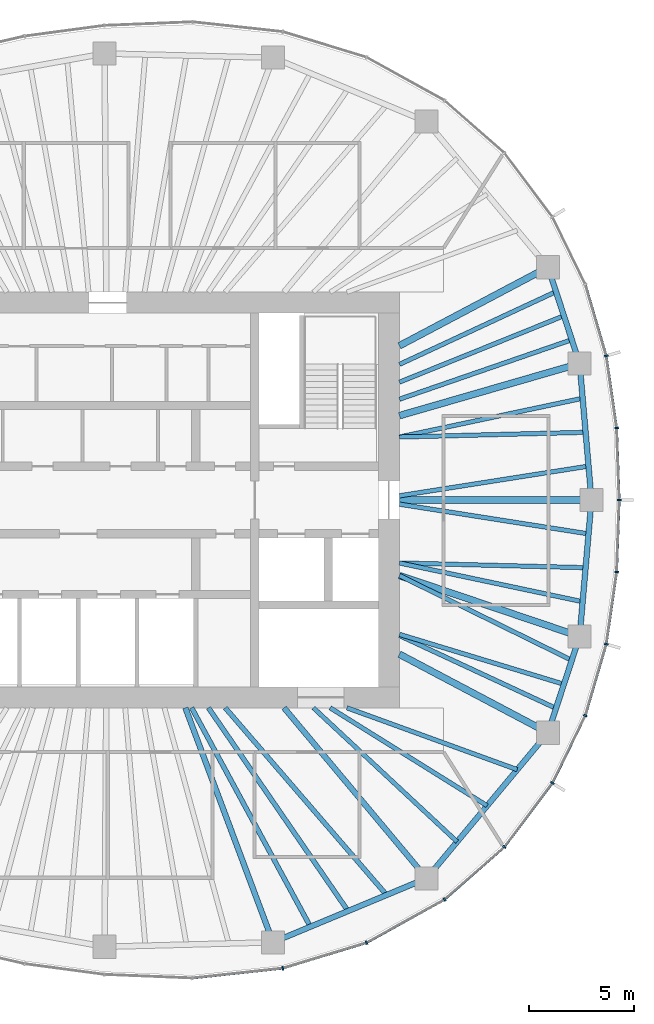
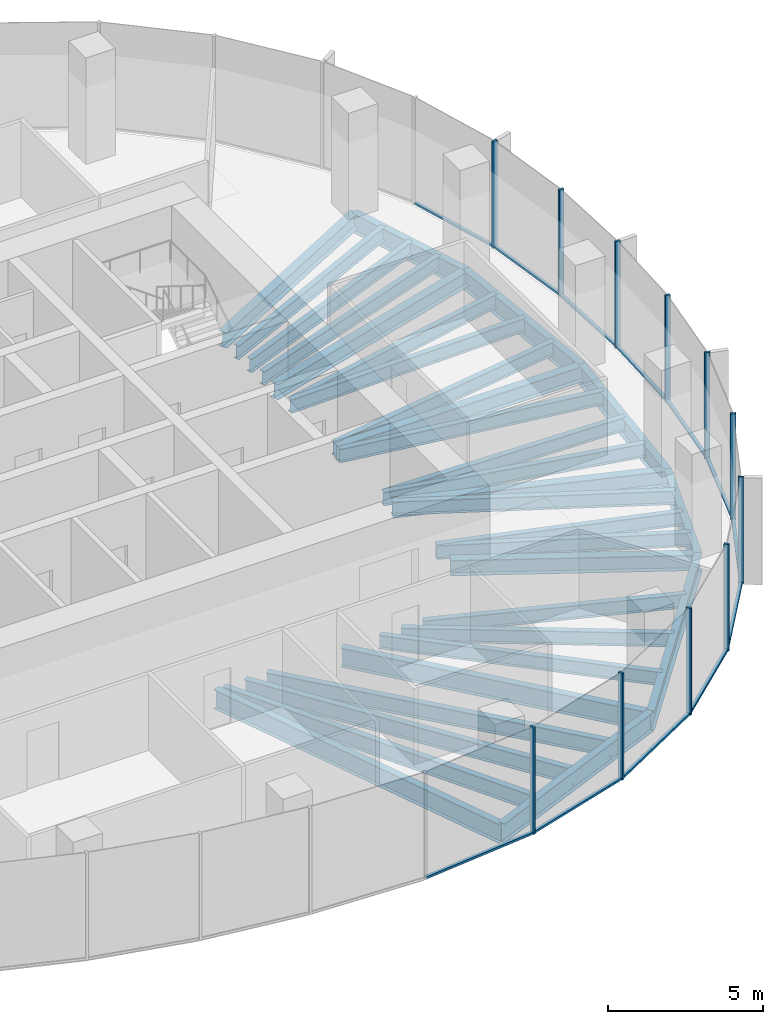
# One storey, part 4 of 11: 31 beams, 23 members, 7 elements without a shape of their own.
"""IFC4 building model written with IfcOpenShell, lengths in metres."""

from ifc_helpers import new_model, si_unit, direction, frame, origin, origin_2d, place, context, subcontext, project, spatial, rectangle, i_section, extrude, material, material_profile, profile_set, type_object, element, aggregate, save


model = new_model("IFC4")

# Units and contexts
model_context = context("Model", 3, precision=1e-05, world=origin(), true_north=direction((0.0, 1.0)))
body_context = subcontext(model_context, "Body", "Model", "MODEL_VIEW")
ifc_project = project(units=[si_unit("LENGTHUNIT", "METRE"), si_unit("AREAUNIT", "SQUARE_METRE"), si_unit("VOLUMEUNIT", "CUBIC_METRE"), si_unit("PLANEANGLEUNIT", "RADIAN"), si_unit("MASSUNIT", "GRAM", prefix="KILO")], contexts=[model_context])

# Site, building, storey
site_placement = place(None, origin())
site = spatial("IfcSite", under=ifc_project, at=site_placement, CompositionType="ELEMENT")
building_placement = place(site_placement, origin())
building = spatial("IfcBuilding", under=site, at=building_placement, Name="Ghaith Harvest Tower", CompositionType="ELEMENT")
storey_placement = place(building_placement, frame((0.0, 0.0, 283.800048828125)))
storey = spatial("IfcBuildingStorey", under=building, at=storey_placement, Name="L63", CompositionType="ELEMENT", Elevation=283.800048828125)

# Curtain wall, members
ifc_material_1 = material(Name="Black anodised aluminium and fritted glass", Category="aluminium")
curtain_wall_type = type_object("IfcCurtainWallType", Name="CW-T CURTAIN WALL", PredefinedType="NOTDEFINED", material=ifc_material_1)
curtain_wall_1_placement = place(storey_placement, origin())
curtain_wall_1 = element("IfcCurtainWall", 1, at=curtain_wall_1_placement, inside=storey, type_object=curtain_wall_type, Name="Curtain wall CW-T bay 01 L63", PredefinedType="NOTDEFINED")
ifc_material_2 = material(Name="Aluminium, black anodised", Category="aluminium")
ifc_material_profile_1 = material_profile(ifc_material_2, rectangle(XDim=0.080078125, YDim=0.179931640625, at=origin_2d()), Name="CW-T MULLION 80x180")
ifc_profile_set_1 = profile_set([ifc_material_profile_1], Name="Aluminium, black anodised")
member_type_1 = type_object("IfcMemberType", Name="CW-T MULLION 80x180", PredefinedType="MULLION", material=ifc_profile_set_1)
member_1_placement = place(storey_placement, frame((24.3701171875, 0.0, 0.0), z_axis=(0.0, 0.0, 1.0), x_axis=(5.2e-11, 1.0, 0.0)))
member_1 = element("IfcMember", 2, at=member_1_placement, type_object=member_type_1, Name="CW-T mullion 1 bay 01 L63", PredefinedType="MULLION", context=body_context, shape_type="SweptSolid", body=[
    extrude(rectangle(XDim=0.080078125, YDim=0.179931640625, at=origin_2d()), origin(), (0.0, 0.0, 1.0), 4.199951171875),
])
member_2_placement = place(storey_placement, frame((24.247802734375, 3.433837890625, 0.0), z_axis=(0.0, 0.0, 1.0), x_axis=(-0.089502202236, 0.995986624305, 0.0)))
member_2 = element("IfcMember", 3, at=member_2_placement, type_object=member_type_1, Name="CW-T mullion 2 bay 01 L63", PredefinedType="MULLION", context=body_context, shape_type="SweptSolid", body=[
    extrude(rectangle(XDim=0.080078125, YDim=0.179931640625, at=origin_2d()), origin(), (0.0, 0.0, 1.0), 4.199951171875),
])

# Curtain wall, member
curtain_wall_2_placement = place(storey_placement, origin())
curtain_wall_2 = element("IfcCurtainWall", 4, at=curtain_wall_2_placement, inside=storey, type_object=curtain_wall_type, Name="Curtain wall CW-T bay 02 L63", PredefinedType="NOTDEFINED")
member_3_placement = place(storey_placement, frame((23.753173828125, 6.865234375, 0.0), z_axis=(0.0, 0.0, 1.0), x_axis=(-0.21340203233, 0.976964468442, 0.0)))
member_3 = element("IfcMember", 5, at=member_3_placement, type_object=member_type_1, Name="CW-T mullion 1 bay 02 L63", PredefinedType="MULLION", context=body_context, shape_type="SweptSolid", body=[
    extrude(rectangle(XDim=0.080078125, YDim=0.179931640625, at=origin_2d()), origin(), (0.0, 0.0, 1.0), 4.199951171875),
])

# Curtain wall, members
curtain_wall_3_placement = place(storey_placement, origin())
curtain_wall_3 = element("IfcCurtainWall", 6, at=curtain_wall_3_placement, inside=storey, type_object=curtain_wall_type, Name="Curtain wall CW-T bay 17 L63", PredefinedType="NOTDEFINED")
member_4_placement = place(storey_placement, frame((8.33984375, -22.308837890625, 0.0), z_axis=(0.0, 0.0, 1.0), x_axis=(0.980000193265, 0.198996535647, 0.0)))
member_4 = element("IfcMember", 7, at=member_4_placement, type_object=member_type_1, Name="CW-T mullion 1 bay 17 L63", PredefinedType="MULLION", context=body_context, shape_type="SweptSolid", body=[
    extrude(rectangle(XDim=0.080078125, YDim=0.179931640625, at=origin_2d()), origin(), (0.0, 0.0, 1.0), 4.199951171875),
])
member_5_placement = place(storey_placement, frame((12.334228515625, -21.091796875, 0.0), z_axis=(0.0, 0.0, 1.0), x_axis=(0.920319269335, 0.391168048914, 0.0)))
member_5 = element("IfcMember", 8, at=member_5_placement, type_object=member_type_1, Name="CW-T mullion 2 bay 17 L63", PredefinedType="MULLION", context=body_context, shape_type="SweptSolid", body=[
    extrude(rectangle(XDim=0.080078125, YDim=0.179931640625, at=origin_2d()), origin(), (0.0, 0.0, 1.0), 4.199951171875),
])

curtain_wall_4_placement = place(storey_placement, origin())
curtain_wall_4 = element("IfcCurtainWall", 9, at=curtain_wall_4_placement, inside=storey, type_object=curtain_wall_type, Name="Curtain wall CW-T bay 18 L63", PredefinedType="NOTDEFINED")
member_6_placement = place(storey_placement, frame((16.04931640625, -19.031982421875, 0.0), z_axis=(0.0, 0.0, 1.0), x_axis=(0.821112053644, 0.570767023715, 0.0)))
member_6 = element("IfcMember", 10, at=member_6_placement, type_object=member_type_1, Name="CW-T mullion 1 bay 18 L63", PredefinedType="MULLION", context=body_context, shape_type="SweptSolid", body=[
    extrude(rectangle(XDim=0.080078125, YDim=0.179931640625, at=origin_2d()), origin(), (0.0, 0.0, 1.0), 4.199951171875),
])
member_7_placement = place(storey_placement, frame((18.901123046875, -16.527099609375, 0.0), z_axis=(0.0, 0.0, 1.0), x_axis=(0.679660897254, 0.733526458108, 0.0)))
member_7 = element("IfcMember", 11, at=member_7_placement, type_object=member_type_1, Name="CW-T mullion 2 bay 18 L63", PredefinedType="MULLION", context=body_context, shape_type="SweptSolid", body=[
    extrude(rectangle(XDim=0.080078125, YDim=0.179931640625, at=origin_2d()), origin(), (0.0, 0.0, 1.0), 4.199951171875),
])

curtain_wall_5_placement = place(storey_placement, origin())
curtain_wall_5 = element("IfcCurtainWall", 12, at=curtain_wall_5_placement, inside=storey, type_object=curtain_wall_type, Name="Curtain wall CW-T bay 19 L63", PredefinedType="NOTDEFINED")
member_8_placement = place(storey_placement, frame((21.18896484375, -13.48486328125, 0.0), z_axis=(0.0, 0.0, 1.0), x_axis=(0.524482238715, 0.85142138878, 0.0)))
member_8 = element("IfcMember", 13, at=member_8_placement, type_object=member_type_1, Name="CW-T mullion 1 bay 19 L63", PredefinedType="MULLION", context=body_context, shape_type="SweptSolid", body=[
    extrude(rectangle(XDim=0.080078125, YDim=0.179931640625, at=origin_2d()), origin(), (0.0, 0.0, 1.0), 4.199951171875),
])
member_9_placement = place(storey_placement, frame((22.754150390625, -10.272216796875, 0.0), z_axis=(0.0, 0.0, 1.0), x_axis=(0.361184273904, 0.932494461262, 0.0)))
member_9 = element("IfcMember", 14, at=member_9_placement, type_object=member_type_1, Name="CW-T mullion 2 bay 19 L63", PredefinedType="MULLION", context=body_context, shape_type="SweptSolid", body=[
    extrude(rectangle(XDim=0.080078125, YDim=0.179931640625, at=origin_2d()), origin(), (0.0, 0.0, 1.0), 4.199951171875),
])

curtain_wall_6_placement = place(storey_placement, origin())
curtain_wall_6 = element("IfcCurtainWall", 15, at=curtain_wall_6_placement, inside=storey, type_object=curtain_wall_type, Name="Curtain wall CW-T bay 20 L63", PredefinedType="NOTDEFINED")
member_10_placement = place(storey_placement, frame((23.753173828125, -6.865234375, 0.0), z_axis=(0.0, 0.0, 1.0), x_axis=(0.213402032501, 0.976964468404, 0.0)))
member_10 = element("IfcMember", 16, at=member_10_placement, type_object=member_type_1, Name="CW-T mullion 1 bay 20 L63", PredefinedType="MULLION", context=body_context, shape_type="SweptSolid", body=[
    extrude(rectangle(XDim=0.080078125, YDim=0.179931640625, at=origin_2d()), origin(), (0.0, 0.0, 1.0), 4.199951171875),
])
member_11_placement = place(storey_placement, frame((24.247802734375, -3.433837890625, 0.0), z_axis=(0.0, 0.0, 1.0), x_axis=(0.089502202305, 0.995986624299, 0.0)))
member_11 = element("IfcMember", 17, at=member_11_placement, type_object=member_type_1, Name="CW-T mullion 2 bay 20 L63", PredefinedType="MULLION", context=body_context, shape_type="SweptSolid", body=[
    extrude(rectangle(XDim=0.080078125, YDim=0.179931640625, at=origin_2d()), origin(), (0.0, 0.0, 1.0), 4.199951171875),
])

# Member
ifc_material_3 = material(Name="Aluminium, black anodised", Category="aluminium")
ifc_material_profile_2 = material_profile(ifc_material_3, rectangle(XDim=0.1201171875, YDim=0.080078125, at=origin_2d()), Name="CW-T TRANSOM 120x80")
ifc_profile_set_2 = profile_set([ifc_material_profile_2], Name="Aluminium, black anodised")
member_type_2 = type_object("IfcMemberType", Name="CW-T TRANSOM 120x80", PredefinedType="USERDEFINED", material=ifc_profile_set_2)
member_12_placement = place(storey_placement, frame((24.36865234375, 0.0400390625, 0.0400390625), z_axis=(-0.035574759537, 0.999367017909, 0.0), x_axis=(-0.999367017909, -0.035574759537, 0.0)))
member_12 = element("IfcMember", 18, at=member_12_placement, type_object=member_type_2, Name="CW-T transom 1 bay 01 L63", ObjectType="TRANSOM", PredefinedType="USERDEFINED", context=body_context, shape_type="SweptSolid", body=[
    extrude(rectangle(XDim=0.1201171875, YDim=0.080078125, at=origin_2d()), origin(), (0.0, 0.0, 1.0), 3.35595703125),
])

member_13_placement = place(storey_placement, frame((24.2421875, 3.473388671875, 0.0400390625), z_axis=(-0.142733224301, 0.989761196795, 0.0), x_axis=(-0.989761196795, -0.142733224301, 0.0)))
member_13 = element("IfcMember", 19, at=member_13_placement, type_object=member_type_2, Name="CW-T transom 2 bay 01 L63", ObjectType="TRANSOM", PredefinedType="USERDEFINED", context=body_context, shape_type="SweptSolid", body=[
    extrude(rectangle(XDim=0.1201171875, YDim=0.080078125, at=origin_2d()), origin(), (0.0, 0.0, 1.0), 3.38671875),
])

aggregate(curtain_wall_1, [member_1, member_12, member_2, member_13])

member_14_placement = place(storey_placement, frame((23.741943359375, 6.903564453125, 0.0400390625), z_axis=(-0.281385475469, 0.95959481772, 0.0), x_axis=(-0.95959481772, -0.281385475469, 0.0)))
member_14 = element("IfcMember", 20, at=member_14_placement, type_object=member_type_2, Name="CW-T transom 1 bay 02 L63", ObjectType="TRANSOM", PredefinedType="USERDEFINED", context=body_context, shape_type="SweptSolid", body=[
    extrude(rectangle(XDim=0.1201171875, YDim=0.080078125, at=origin_2d()), origin(), (0.0, 0.0, 1.0), 3.470458984375),
])

aggregate(curtain_wall_2, [member_3, member_14])

# Curtain wall, member
curtain_wall_7_placement = place(storey_placement, origin())
curtain_wall_7 = element("IfcCurtainWall", 21, at=curtain_wall_7_placement, inside=storey, type_object=curtain_wall_type, Name="Curtain wall CW-T bay 16 L63", PredefinedType="NOTDEFINED")
member_15_placement = place(storey_placement, frame((4.077392578125, -22.772216796875, 0.0400390625), z_axis=(0.994144463069, 0.108059180768, 0.0), x_axis=(-0.108059180768, 0.994144463069, 0.0)))
member_15 = element("IfcMember", 22, at=member_15_placement, type_object=member_type_2, Name="CW-T transom 2 bay 16 L63", ObjectType="TRANSOM", PredefinedType="USERDEFINED", context=body_context, shape_type="SweptSolid", body=[
    extrude(rectangle(XDim=0.1201171875, YDim=0.080078125, at=origin_2d()), origin(), (0.0, 0.0, 1.0), 4.24755859375),
])
aggregate(curtain_wall_7, [member_15])

# Member
member_16_placement = place(storey_placement, frame((8.378173828125, -22.297119140625, 0.0400390625), z_axis=(0.956593713342, 0.291424891858, 0.0), x_axis=(-0.291424891858, 0.956593713342, 0.0)))
member_16 = element("IfcMember", 23, at=member_16_placement, type_object=member_type_2, Name="CW-T transom 1 bay 17 L63", ObjectType="TRANSOM", PredefinedType="USERDEFINED", context=body_context, shape_type="SweptSolid", body=[
    extrude(rectangle(XDim=0.1201171875, YDim=0.080078125, at=origin_2d()), origin(), (0.0, 0.0, 1.0), 4.095703125),
])

member_17_placement = place(storey_placement, frame((12.369384765625, -21.072509765625, 0.0400390625), z_axis=(0.874552130553, 0.484931511603, 0.0), x_axis=(-0.484931511603, 0.874552130553, 0.0)))
member_17 = element("IfcMember", 24, at=member_17_placement, type_object=member_type_2, Name="CW-T transom 2 bay 17 L63", ObjectType="TRANSOM", PredefinedType="USERDEFINED", context=body_context, shape_type="SweptSolid", body=[
    extrude(rectangle(XDim=0.1201171875, YDim=0.080078125, at=origin_2d()), origin(), (0.0, 0.0, 1.0), 4.16748046875),
])

aggregate(curtain_wall_3, [member_4, member_16, member_5, member_17])

member_18_placement = place(storey_placement, frame((16.079345703125, -19.005615234375, 0.0400390625), z_axis=(0.751325799984, 0.659931467865, 0.0), x_axis=(-0.659931467865, 0.751325799984, 0.0)))
member_18 = element("IfcMember", 25, at=member_18_placement, type_object=member_type_2, Name="CW-T transom 1 bay 18 L63", ObjectType="TRANSOM", PredefinedType="USERDEFINED", context=body_context, shape_type="SweptSolid", body=[
    extrude(rectangle(XDim=0.1201171875, YDim=0.080078125, at=origin_2d()), origin(), (0.0, 0.0, 1.0), 3.7158203125),
])

member_19_placement = place(storey_placement, frame((18.925048828125, -16.4951171875, 0.0400390625), z_axis=(0.601079103045, 0.799189534392, 0.0), x_axis=(-0.799189534392, 0.601079103045, 0.0)))
member_19 = element("IfcMember", 26, at=member_19_placement, type_object=member_type_2, Name="CW-T transom 2 bay 18 L63", ObjectType="TRANSOM", PredefinedType="USERDEFINED", context=body_context, shape_type="SweptSolid", body=[
    extrude(rectangle(XDim=0.1201171875, YDim=0.080078125, at=origin_2d()), origin(), (0.0, 0.0, 1.0), 3.7265625),
])

aggregate(curtain_wall_4, [member_6, member_18, member_7, member_19])

member_20_placement = place(storey_placement, frame((21.20654296875, -13.448974609375, 0.0400390625), z_axis=(0.437965078712, 0.898991985408, 0.0), x_axis=(-0.898991985408, 0.437965078712, 0.0)))
member_20 = element("IfcMember", 27, at=member_20_placement, type_object=member_type_2, Name="CW-T transom 1 bay 19 L63", ObjectType="TRANSOM", PredefinedType="USERDEFINED", context=body_context, shape_type="SweptSolid", body=[
    extrude(rectangle(XDim=0.1201171875, YDim=0.080078125, at=origin_2d()), origin(), (0.0, 0.0, 1.0), 3.493408203125),
])

member_21_placement = place(storey_placement, frame((22.765380859375, -10.23388671875, 0.0400390625), z_axis=(0.281385475469, 0.95959481772, 0.0), x_axis=(-0.95959481772, 0.281385475469, 0.0)))
member_21 = element("IfcMember", 28, at=member_21_placement, type_object=member_type_2, Name="CW-T transom 2 bay 19 L63", ObjectType="TRANSOM", PredefinedType="USERDEFINED", context=body_context, shape_type="SweptSolid", body=[
    extrude(rectangle(XDim=0.1201171875, YDim=0.080078125, at=origin_2d()), origin(), (0.0, 0.0, 1.0), 3.470458984375),
])

aggregate(curtain_wall_5, [member_8, member_20, member_9, member_21])

member_22_placement = place(storey_placement, frame((23.7587890625, -6.825439453125, 0.0400390625), z_axis=(0.142733224301, 0.989761196795, 0.0), x_axis=(-0.989761196795, 0.142733224301, 0.0)))
member_22 = element("IfcMember", 29, at=member_22_placement, type_object=member_type_2, Name="CW-T transom 1 bay 20 L63", ObjectType="TRANSOM", PredefinedType="USERDEFINED", context=body_context, shape_type="SweptSolid", body=[
    extrude(rectangle(XDim=0.1201171875, YDim=0.080078125, at=origin_2d()), origin(), (0.0, 0.0, 1.0), 3.38671875),
])

member_23_placement = place(storey_placement, frame((24.249267578125, -3.393798828125, 0.0400390625), z_axis=(0.035574759537, 0.999367017909, 0.0), x_axis=(-0.999367017909, 0.035574759537, 0.0)))
member_23 = element("IfcMember", 30, at=member_23_placement, type_object=member_type_2, Name="CW-T transom 2 bay 20 L63", ObjectType="TRANSOM", PredefinedType="USERDEFINED", context=body_context, shape_type="SweptSolid", body=[
    extrude(rectangle(XDim=0.1201171875, YDim=0.080078125, at=origin_2d()), origin(), (0.0, 0.0, 1.0), 3.35595703125),
])

aggregate(curtain_wall_6, [member_10, member_22, member_11, member_23])

# Beams
ifc_material_4 = material(Name="Steel ASTM A992 Grade 50", Category="steel")
ifc_material_profile_3 = material_profile(ifc_material_4, i_section(OverallWidth=0.26611328125, OverallDepth=0.758056640625, WebThickness=0.013916015625, FlangeThickness=0.019287109375, at=origin_2d()), Name="W760X161")
ifc_profile_set_3 = profile_set([ifc_material_profile_3], Name="Steel ASTM A992 Grade 50")
beam_type_1 = type_object("IfcBeamType", Name="E760-161 W760X161", PredefinedType="SPANDREL", material=ifc_profile_set_3)
beam_1_placement = place(storey_placement, frame((23.050048828125, 0.0, -0.549072265625), z_axis=(-0.086600547306, 0.996243115513, 0.0), x_axis=(-0.996243115513, -0.086600547306, 0.0)))
element("IfcBeam", 31, at=beam_1_placement, inside=storey, type_object=beam_type_1, Name="Edge beam E01 L63", PredefinedType="SPANDREL", context=body_context, shape_type="SweptSolid", body=[
    extrude(i_section(OverallWidth=0.26611328125, OverallDepth=0.758056640625, WebThickness=0.013916015625, FlangeThickness=0.019287109375, at=origin_2d()), origin(), (0.0, 0.0, 1.0), 6.5234375),
])
beam_2_placement = place(storey_placement, frame((22.485107421875, 6.4990234375, -0.549072265625), z_axis=(-0.312206727278, 0.950014189074, 0.0), x_axis=(-0.950014189074, -0.312206727278, 0.0)))
element("IfcBeam", 32, at=beam_2_placement, inside=storey, type_object=beam_type_1, Name="Edge beam E02 L63", PredefinedType="SPANDREL", context=body_context, shape_type="SweptSolid", body=[
    extrude(i_section(OverallWidth=0.26611328125, OverallDepth=0.758056640625, WebThickness=0.013916015625, FlangeThickness=0.019287109375, at=origin_2d()), origin(), (0.0, 0.0, 1.0), 4.830322265625),
])
beam_3_placement = place(storey_placement, frame((7.8779296875, -21.072021484375, -0.549072265625), z_axis=(0.923119729219, 0.384512633766, 0.0), x_axis=(-0.384512633766, 0.923119729219, 0.0)))
element("IfcBeam", 33, at=beam_3_placement, inside=storey, type_object=beam_type_1, Name="Edge beam E17 L63", PredefinedType="SPANDREL", context=body_context, shape_type="SweptSolid", body=[
    extrude(i_section(OverallWidth=0.26611328125, OverallDepth=0.758056640625, WebThickness=0.013916015625, FlangeThickness=0.019287109375, at=origin_2d()), origin(), (0.0, 0.0, 1.0), 7.9296875),
])
beam_4_placement = place(storey_placement, frame((15.197998046875, -18.02294921875, -0.549072265625), z_axis=(0.640173759088, 0.76823014662, 0.0), x_axis=(-0.76823014662, 0.640173759088, 0.0)))
element("IfcBeam", 34, at=beam_4_placement, inside=storey, type_object=beam_type_1, Name="Edge beam E18 L63", PredefinedType="SPANDREL", context=body_context, shape_type="SweptSolid", body=[
    extrude(i_section(OverallWidth=0.26611328125, OverallDepth=0.758056640625, WebThickness=0.013916015625, FlangeThickness=0.019287109375, at=origin_2d()), origin(), (0.0, 0.0, 1.0), 9.02734375),
])
beam_5_placement = place(storey_placement, frame((20.97705078125, -11.087890625, -0.549072265625), z_axis=(0.312206727278, 0.950014189074, 0.0), x_axis=(-0.950014189074, 0.312206727278, 0.0)))
element("IfcBeam", 35, at=beam_5_placement, inside=storey, type_object=beam_type_1, Name="Edge beam E19 L63", PredefinedType="SPANDREL", context=body_context, shape_type="SweptSolid", body=[
    extrude(i_section(OverallWidth=0.26611328125, OverallDepth=0.758056640625, WebThickness=0.013916015625, FlangeThickness=0.019287109375, at=origin_2d()), origin(), (0.0, 0.0, 1.0), 4.830322265625),
])
beam_6_placement = place(storey_placement, frame((22.485107421875, -6.4990234375, -0.549072265625), z_axis=(0.086600547306, 0.996243115513, 0.0), x_axis=(-0.996243115513, 0.086600547306, 0.0)))
element("IfcBeam", 36, at=beam_6_placement, inside=storey, type_object=beam_type_1, Name="Edge beam E20 L63", PredefinedType="SPANDREL", context=body_context, shape_type="SweptSolid", body=[
    extrude(i_section(OverallWidth=0.26611328125, OverallDepth=0.758056640625, WebThickness=0.013916015625, FlangeThickness=0.019287109375, at=origin_2d()), origin(), (0.0, 0.0, 1.0), 6.5234375),
])
ifc_material_5 = material(Name="Steel ASTM A992 Grade 50", Category="steel")
ifc_material_profile_4 = material_profile(ifc_material_5, i_section(OverallWidth=0.323974609375, OverallDepth=0.611083984375, WebThickness=0.0126953125, FlangeThickness=0.01904296875, at=origin_2d()), Name="W610X155")
ifc_profile_set_4 = profile_set([ifc_material_profile_4], Name="Steel ASTM A992 Grade 50")
beam_type_2 = type_object("IfcBeamType", Name="G610-155 W610X155", PredefinedType="BEAM", material=ifc_profile_set_4)
beam_7_placement = place(storey_placement, frame((13.89990234375, 0.0, -0.4755859375), z_axis=(1.0, 0.0, 0.0), x_axis=(0.0, 1.0, 0.0)))
element("IfcBeam", 37, at=beam_7_placement, inside=storey, type_object=beam_type_2, Name="Radial girder G01 L63", PredefinedType="BEAM", context=body_context, shape_type="SweptSolid", body=[
    extrude(i_section(OverallWidth=0.323974609375, OverallDepth=0.611083984375, WebThickness=0.0126953125, FlangeThickness=0.01904296875, at=origin_2d()), origin(), (0.0, 0.0, 1.0), 9.150146484375),
])
beam_8_placement = place(storey_placement, frame((13.89990234375, 4.017333984375, -0.4755859375), z_axis=(0.960668846071, 0.27769653975, 0.0), x_axis=(-0.27769653975, 0.960668846071, 0.0)))
element("IfcBeam", 38, at=beam_8_placement, inside=storey, type_object=beam_type_2, Name="Radial girder G02 L63", PredefinedType="BEAM", context=body_context, shape_type="SweptSolid", body=[
    extrude(i_section(OverallWidth=0.323974609375, OverallDepth=0.611083984375, WebThickness=0.0126953125, FlangeThickness=0.01904296875, at=origin_2d()), origin(), (0.0, 0.0, 1.0), 8.936767578125),
])
for number, where, z_axis, x_axis, name in (
    (39, (13.89990234375, 7.34716796875, -0.4755859375), (0.884097820364, 0.467301876764, 0.0), (-0.467301876764, 0.884097820364, 0.0), "Radial girder G03 L63"),
    (40, (13.89990234375, -7.34716796875, -0.4755859375), (0.884097820364, -0.467301876764, 0.0), (0.467301876764, 0.884097820364, 0.0), "Radial girder G19 L63"),
):
    element("IfcBeam", number, at=place(storey_placement, frame(where, z_axis=z_axis, x_axis=x_axis)), inside=storey, type_object=beam_type_2, Name=name, PredefinedType="BEAM", context=body_context, shape_type="SweptSolid", body=[
        extrude(i_section(OverallWidth=0.323974609375, OverallDepth=0.611083984375, WebThickness=0.0126953125, FlangeThickness=0.01904296875, at=origin_2d()), origin(), (0.0, 0.0, 1.0), 8.0048828125),
    ])
beam_9_placement = place(storey_placement, frame((13.89990234375, -3.60009765625, -0.4755859375), z_axis=(0.947444819082, -0.319919231673, 0.0), x_axis=(0.319919231673, 0.947444819082, 0.0)))
element("IfcBeam", 41, at=beam_9_placement, inside=storey, type_object=beam_type_2, Name="Radial girder G20 L63", PredefinedType="BEAM", context=body_context, shape_type="SweptSolid", body=[
    extrude(i_section(OverallWidth=0.323974609375, OverallDepth=0.611083984375, WebThickness=0.0126953125, FlangeThickness=0.01904296875, at=origin_2d()), origin(), (0.0, 0.0, 1.0), 9.0615234375),
])
ifc_material_6 = material(Name="Steel ASTM A992 Grade 50", Category="steel")
ifc_material_profile_5 = material_profile(ifc_material_6, i_section(OverallWidth=0.26611328125, OverallDepth=0.758056640625, WebThickness=0.013916015625, FlangeThickness=0.019287109375, at=origin_2d()), Name="W760X161")
ifc_profile_set_5 = profile_set([ifc_material_profile_5], Name="Steel ASTM A992 Grade 50")
beam_type_3 = type_object("IfcBeamType", Name="G760-161 W760X161", PredefinedType="BEAM", material=ifc_profile_set_5)
beam_10_placement = place(storey_placement, frame((3.700927734375, -9.89990234375, -0.549072265625), z_axis=(0.350201332531, -0.936674450753, 0.0), x_axis=(0.936674450753, 0.350201332531, 0.0)))
element("IfcBeam", 42, at=beam_10_placement, inside=storey, type_object=beam_type_3, Name="Radial girder G17 L63", PredefinedType="BEAM", context=body_context, shape_type="SweptSolid", body=[
    extrude(i_section(OverallWidth=0.26611328125, OverallDepth=0.758056640625, WebThickness=0.013916015625, FlangeThickness=0.019287109375, at=origin_2d()), origin(), (0.0, 0.0, 1.0), 11.927490234375),
])
beam_11_placement = place(storey_placement, frame((8.39990234375, -9.89990234375, -0.549072265625), z_axis=(0.641792628883, -0.766878231215, 0.0), x_axis=(0.766878231215, 0.641792628883, 0.0)))
element("IfcBeam", 43, at=beam_11_placement, inside=storey, type_object=beam_type_3, Name="Radial girder G18 L63", PredefinedType="BEAM", context=body_context, shape_type="SweptSolid", body=[
    extrude(i_section(OverallWidth=0.26611328125, OverallDepth=0.758056640625, WebThickness=0.013916015625, FlangeThickness=0.019287109375, at=origin_2d()), origin(), (0.0, 0.0, 1.0), 10.59228515625),
])
ifc_material_7 = material(Name="Steel ASTM A992 Grade 50", Category="steel")
ifc_material_profile_6 = material_profile(ifc_material_7, i_section(OverallWidth=0.2109375, OverallDepth=0.5390625, WebThickness=0.01171875, FlangeThickness=0.018798828125, at=origin_2d()), Name="W530X109")
ifc_profile_set_6 = profile_set([ifc_material_profile_6], Name="Steel ASTM A992 Grade 50")
beam_type_4 = type_object("IfcBeamType", Name="J530-109 W530X109", PredefinedType="JOIST", material=ifc_profile_set_6)
beam_12_placement = place(storey_placement, frame((13.89990234375, 0.199951171875, -0.439453125), z_axis=(0.987906665526, 0.155049734628, 0.0), x_axis=(-0.155049734628, 0.987906665526, 0.0)))
element("IfcBeam", 44, at=beam_12_placement, inside=storey, type_object=beam_type_4, Name="Joist J01.1 L63", PredefinedType="JOIST", context=body_context, shape_type="SweptSolid", body=[
    extrude(i_section(OverallWidth=0.2109375, OverallDepth=0.5390625, WebThickness=0.01171875, FlangeThickness=0.018798828125, at=origin_2d()), origin(), (0.0, 0.0, 1.0), 9.1201171875),
])
beam_13_placement = place(storey_placement, frame((13.89990234375, 3.0, -0.439453125), z_axis=(0.999679533859, 0.025314612071, 0.0), x_axis=(-0.025314612071, 0.999679533859, 0.0)))
element("IfcBeam", 45, at=beam_13_placement, inside=storey, type_object=beam_type_4, Name="Joist J01.2 L63", PredefinedType="JOIST", context=body_context, shape_type="SweptSolid", body=[
    extrude(i_section(OverallWidth=0.2109375, OverallDepth=0.5390625, WebThickness=0.01171875, FlangeThickness=0.018798828125, at=origin_2d()), origin(), (0.0, 0.0, 1.0), 8.872802734375),
])
beam_14_placement = place(storey_placement, frame((13.89990234375, 3.0, -0.439453125), z_axis=(0.97833382446, 0.207033639579, 0.0), x_axis=(-0.207033639579, 0.97833382446, 0.0)))
element("IfcBeam", 46, at=beam_14_placement, inside=storey, type_object=beam_type_4, Name="Joist J01.3 L63", PredefinedType="JOIST", context=body_context, shape_type="SweptSolid", body=[
    extrude(i_section(OverallWidth=0.2109375, OverallDepth=0.5390625, WebThickness=0.01171875, FlangeThickness=0.018798828125, at=origin_2d()), origin(), (0.0, 0.0, 1.0), 8.922119140625),
])
beam_15_placement = place(storey_placement, frame((13.89990234375, 4.801025390625, -0.439453125), z_axis=(0.945204712775, 0.326478254937, 0.0), x_axis=(-0.326478254937, 0.945204712775, 0.0)))
element("IfcBeam", 47, at=beam_15_placement, inside=storey, type_object=beam_type_4, Name="Joist J02.1 L63", PredefinedType="JOIST", context=body_context, shape_type="SweptSolid", body=[
    extrude(i_section(OverallWidth=0.2109375, OverallDepth=0.5390625, WebThickness=0.01171875, FlangeThickness=0.018798828125, at=origin_2d()), origin(), (0.0, 0.0, 1.0), 8.687255859375),
])
beam_16_placement = place(storey_placement, frame((13.89990234375, 5.61328125, -0.439453125), z_axis=(0.927254375113, 0.374432001615, 0.0), x_axis=(-0.374432001615, 0.927254375113, 0.0)))
element("IfcBeam", 48, at=beam_16_placement, inside=storey, type_object=beam_type_4, Name="Joist J02.2 L63", PredefinedType="JOIST", context=body_context, shape_type="SweptSolid", body=[
    extrude(i_section(OverallWidth=0.2109375, OverallDepth=0.5390625, WebThickness=0.01171875, FlangeThickness=0.018798828125, at=origin_2d()), origin(), (0.0, 0.0, 1.0), 8.450927734375),
])
beam_17_placement = place(storey_placement, frame((13.89990234375, 6.45947265625, -0.439453125), z_axis=(0.906859906661, 0.42143221245, 0.0), x_axis=(-0.42143221245, 0.906859906661, 0.0)))
element("IfcBeam", 49, at=beam_17_placement, inside=storey, type_object=beam_type_4, Name="Joist J02.3 L63", PredefinedType="JOIST", context=body_context, shape_type="SweptSolid", body=[
    extrude(i_section(OverallWidth=0.2109375, OverallDepth=0.5390625, WebThickness=0.01171875, FlangeThickness=0.018798828125, at=origin_2d()), origin(), (0.0, 0.0, 1.0), 8.22509765625),
])
beam_18_placement = place(storey_placement, frame((9.800048828125, -9.89990234375, -0.439453125), z_axis=(0.73164904944, -0.681681500742, 0.0), x_axis=(0.681681500742, 0.73164904944, 0.0)))
element("IfcBeam", 50, at=beam_18_placement, inside=storey, type_object=beam_type_4, Name="Joist J18.1 L63", PredefinedType="JOIST", context=body_context, shape_type="SweptSolid", body=[
    extrude(i_section(OverallWidth=0.2109375, OverallDepth=0.5390625, WebThickness=0.01171875, FlangeThickness=0.018798828125, at=origin_2d()), origin(), (0.0, 0.0, 1.0), 9.361572265625),
])
beam_19_placement = place(storey_placement, frame((10.60009765625, -9.89990234375, -0.439453125), z_axis=(0.84837619421, -0.52939383553, 0.0), x_axis=(0.52939383553, 0.84837619421, 0.0)))
element("IfcBeam", 51, at=beam_19_placement, inside=storey, type_object=beam_type_4, Name="Joist J18.2 L63", PredefinedType="JOIST", context=body_context, shape_type="SweptSolid", body=[
    extrude(i_section(OverallWidth=0.2109375, OverallDepth=0.5390625, WebThickness=0.01171875, FlangeThickness=0.018798828125, at=origin_2d()), origin(), (0.0, 0.0, 1.0), 8.814697265625),
])
beam_20_placement = place(storey_placement, frame((11.39990234375, -9.89990234375, -0.439453125), z_axis=(0.939925501564, -0.341379629605, 0.0), x_axis=(0.341379629605, 0.939925501564, 0.0)))
element("IfcBeam", 52, at=beam_20_placement, inside=storey, type_object=beam_type_4, Name="Joist J18.3 L63", PredefinedType="JOIST", context=body_context, shape_type="SweptSolid", body=[
    extrude(i_section(OverallWidth=0.2109375, OverallDepth=0.5390625, WebThickness=0.01171875, FlangeThickness=0.018798828125, at=origin_2d()), origin(), (0.0, 0.0, 1.0), 8.630615234375),
])
beam_21_placement = place(storey_placement, frame((13.89990234375, -6.45947265625, -0.439453125), z_axis=(0.906859906661, -0.42143221245, 0.0), x_axis=(0.42143221245, 0.906859906661, 0.0)))
element("IfcBeam", 53, at=beam_21_placement, inside=storey, type_object=beam_type_4, Name="Joist J19.1 L63", PredefinedType="JOIST", context=body_context, shape_type="SweptSolid", body=[
    extrude(i_section(OverallWidth=0.2109375, OverallDepth=0.5390625, WebThickness=0.01171875, FlangeThickness=0.018798828125, at=origin_2d()), origin(), (0.0, 0.0, 1.0), 8.22509765625),
])
beam_22_placement = place(storey_placement, frame((13.89990234375, -6.39990234375, -0.439453125), z_axis=(0.9569197823, -0.290352424208, 0.0), x_axis=(0.290352424208, 0.9569197823, 0.0)))
element("IfcBeam", 54, at=beam_22_placement, inside=storey, type_object=beam_type_4, Name="Joist J19.2 L63", PredefinedType="JOIST", context=body_context, shape_type="SweptSolid", body=[
    extrude(i_section(OverallWidth=0.2109375, OverallDepth=0.5390625, WebThickness=0.01171875, FlangeThickness=0.018798828125, at=origin_2d()), origin(), (0.0, 0.0, 1.0), 8.18896484375),
])
beam_23_placement = place(storey_placement, frame((13.89990234375, -3.60009765625, -0.439453125), z_axis=(0.89740088778, -0.441216099674, 0.0), x_axis=(0.441216099674, 0.89740088778, 0.0)))
element("IfcBeam", 55, at=beam_23_placement, inside=storey, type_object=beam_type_4, Name="Joist J19.3 L63", PredefinedType="JOIST", context=body_context, shape_type="SweptSolid", body=[
    extrude(i_section(OverallWidth=0.2109375, OverallDepth=0.5390625, WebThickness=0.01171875, FlangeThickness=0.018798828125, at=origin_2d()), origin(), (0.0, 0.0, 1.0), 9.14990234375),
])
beam_24_placement = place(storey_placement, frame((13.89990234375, -3.0, -0.439453125), z_axis=(0.97833382446, -0.207033639579, 0.0), x_axis=(0.207033639579, 0.97833382446, 0.0)))
element("IfcBeam", 56, at=beam_24_placement, inside=storey, type_object=beam_type_4, Name="Joist J20.1 L63", PredefinedType="JOIST", context=body_context, shape_type="SweptSolid", body=[
    extrude(i_section(OverallWidth=0.2109375, OverallDepth=0.5390625, WebThickness=0.01171875, FlangeThickness=0.018798828125, at=origin_2d()), origin(), (0.0, 0.0, 1.0), 8.922119140625),
])
beam_25_placement = place(storey_placement, frame((13.89990234375, -3.0, -0.439453125), z_axis=(0.999679533859, -0.025314612071, 0.0), x_axis=(0.025314612071, 0.999679533859, 0.0)))
element("IfcBeam", 57, at=beam_25_placement, inside=storey, type_object=beam_type_4, Name="Joist J20.2 L63", PredefinedType="JOIST", context=body_context, shape_type="SweptSolid", body=[
    extrude(i_section(OverallWidth=0.2109375, OverallDepth=0.5390625, WebThickness=0.01171875, FlangeThickness=0.018798828125, at=origin_2d()), origin(), (0.0, 0.0, 1.0), 8.872802734375),
])
beam_26_placement = place(storey_placement, frame((13.89990234375, -0.199951171875, -0.439453125), z_axis=(0.987906665526, -0.155049734628, 0.0), x_axis=(0.155049734628, 0.987906665526, 0.0)))
element("IfcBeam", 58, at=beam_26_placement, inside=storey, type_object=beam_type_4, Name="Joist J20.3 L63", PredefinedType="JOIST", context=body_context, shape_type="SweptSolid", body=[
    extrude(i_section(OverallWidth=0.2109375, OverallDepth=0.5390625, WebThickness=0.01171875, FlangeThickness=0.018798828125, at=origin_2d()), origin(), (0.0, 0.0, 1.0), 9.1201171875),
])
ifc_material_8 = material(Name="Steel ASTM A992 Grade 50", Category="steel")
ifc_material_profile_7 = material_profile(ifc_material_8, i_section(OverallWidth=0.22998046875, OverallDepth=0.616943359375, WebThickness=0.01318359375, FlangeThickness=0.022216796875, at=origin_2d()), Name="W610X140")
ifc_profile_set_7 = profile_set([ifc_material_profile_7], Name="Steel ASTM A992 Grade 50")
beam_type_5 = type_object("IfcBeamType", Name="J610-140 W610X140", PredefinedType="JOIST", material=ifc_profile_set_7)
beam_27_placement = place(storey_placement, frame((4.0, -9.89990234375, -0.478515625), z_axis=(0.476764926531, -0.879030832696, 0.0), x_axis=(0.879030832696, 0.476764926531, 0.0)))
element("IfcBeam", 59, at=beam_27_placement, inside=storey, type_object=beam_type_5, Name="Joist J17.1 L63", PredefinedType="JOIST", context=body_context, shape_type="SweptSolid", body=[
    extrude(i_section(OverallWidth=0.22998046875, OverallDepth=0.616943359375, WebThickness=0.01318359375, FlangeThickness=0.022216796875, at=origin_2d()), origin(), (0.0, 0.0, 1.0), 11.866455078125),
])
beam_28_placement = place(storey_placement, frame((4.800048828125, -9.89990234375, -0.478515625), z_axis=(0.566228035119, -0.824248634967, 0.0), x_axis=(0.824248634967, 0.566228035119, 0.0)))
element("IfcBeam", 60, at=beam_28_placement, inside=storey, type_object=beam_type_5, Name="Joist J17.2 L63", PredefinedType="JOIST", context=body_context, shape_type="SweptSolid", body=[
    extrude(i_section(OverallWidth=0.22998046875, OverallDepth=0.616943359375, WebThickness=0.01318359375, FlangeThickness=0.022216796875, at=origin_2d()), origin(), (0.0, 0.0, 1.0), 11.748046875),
])
beam_29_placement = place(storey_placement, frame((5.60009765625, -9.89990234375, -0.478515625), z_axis=(0.652992938501, -0.757363995888, 0.0), x_axis=(0.757363995888, 0.652992938501, 0.0)))
element("IfcBeam", 61, at=beam_29_placement, inside=storey, type_object=beam_type_5, Name="Joist J17.3 L63", PredefinedType="JOIST", context=body_context, shape_type="SweptSolid", body=[
    extrude(i_section(OverallWidth=0.22998046875, OverallDepth=0.616943359375, WebThickness=0.01318359375, FlangeThickness=0.022216796875, at=origin_2d()), origin(), (0.0, 0.0, 1.0), 11.775390625),
])

save(model, "model.ifc")
